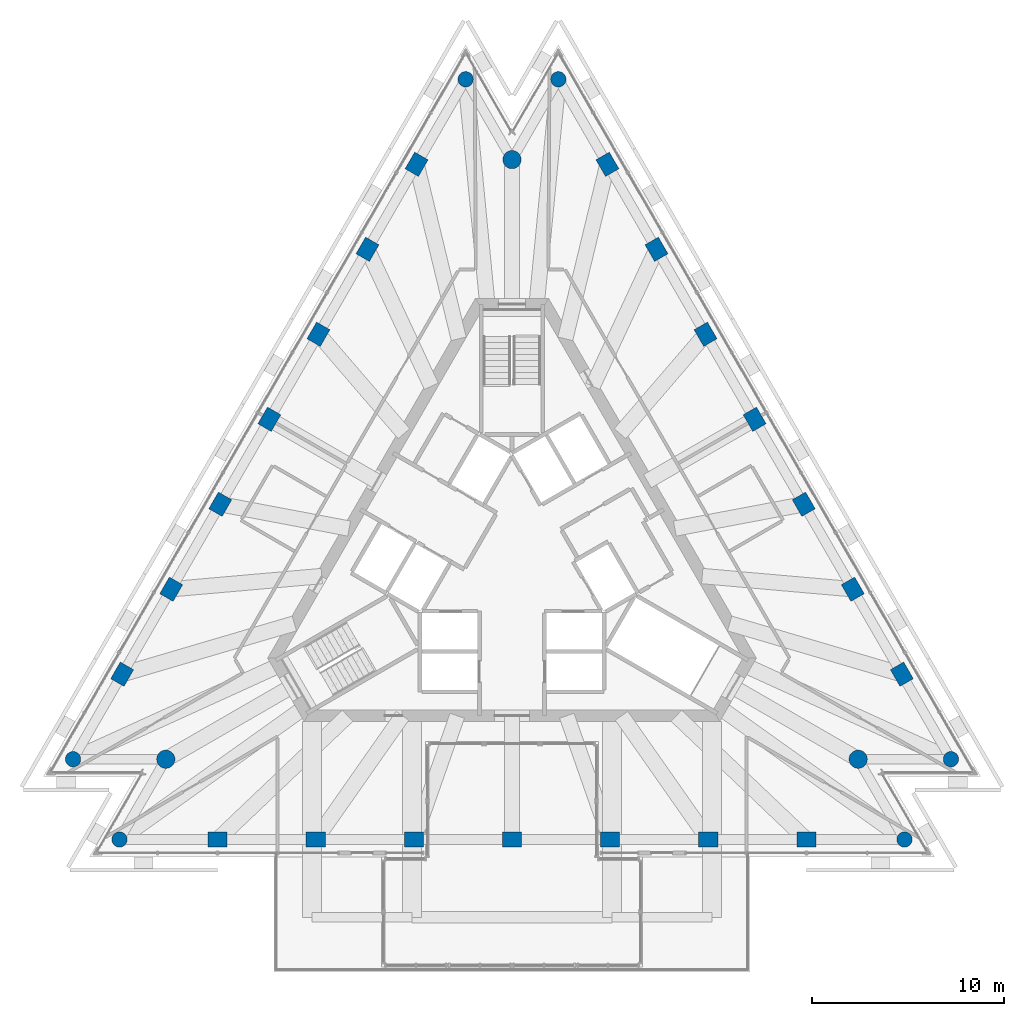
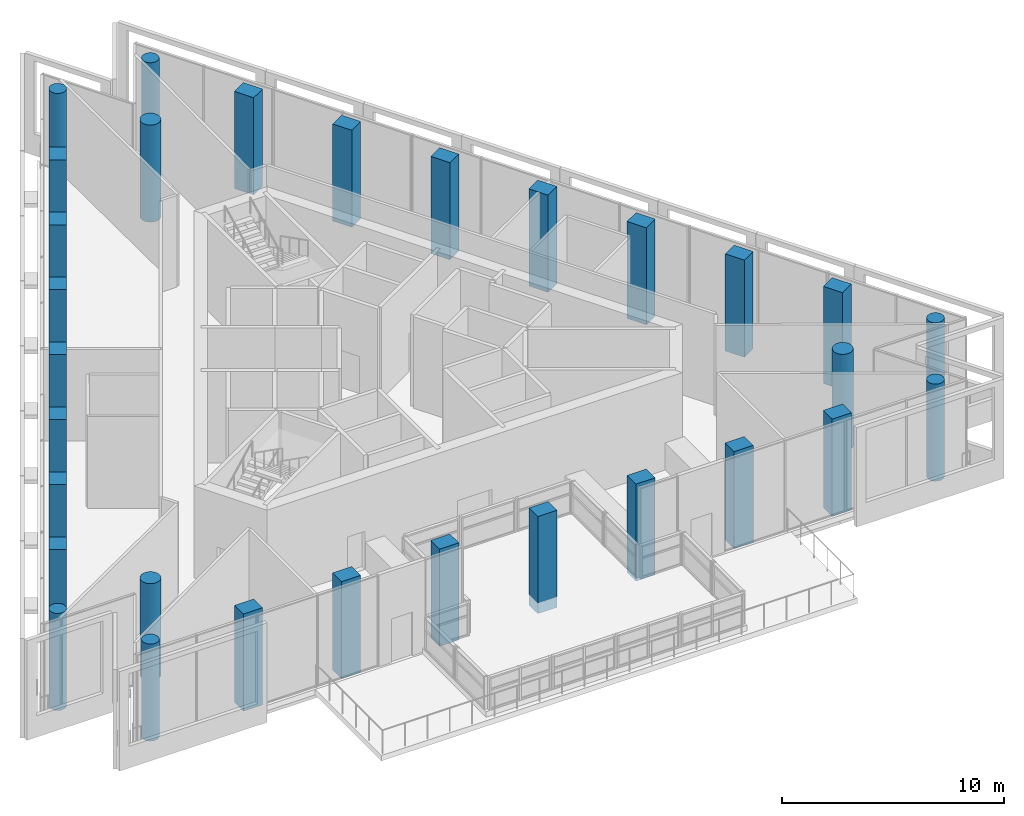
# One storey, part 1 of 17: 30 columns.
"""IFC4 building model written with IfcOpenShell, lengths in metres."""

from ifc_helpers import new_model, si_unit, direction, frame, origin, origin_2d, place, context, subcontext, project, spatial, rectangle, circle, extrude, material, material_profile, profile_set, type_object, element, save


model = new_model("IFC4")

# Units and contexts
model_context = context("Model", 3, precision=1e-05, world=origin(), true_north=direction((0.0, 1.0)))
body_context = subcontext(model_context, "Body", "Model", "MODEL_VIEW")
ifc_project = project(units=[si_unit("LENGTHUNIT", "METRE"), si_unit("AREAUNIT", "SQUARE_METRE"), si_unit("VOLUMEUNIT", "CUBIC_METRE"), si_unit("PLANEANGLEUNIT", "RADIAN"), si_unit("MASSUNIT", "GRAM", prefix="KILO")], contexts=[model_context])

# Site, building, storey
site_placement = place(None, origin())
site = spatial("IfcSite", under=ifc_project, at=site_placement, CompositionType="ELEMENT")
building_placement = place(site_placement, origin())
building = spatial("IfcBuilding", under=site, at=building_placement, Name="Triada Interchange Tower", CompositionType="ELEMENT")
storey_placement = place(building_placement, frame((0.0, 0.0, 322.300048828125)))
storey = spatial("IfcBuildingStorey", under=building, at=storey_placement, Name="L77", CompositionType="ELEMENT", Elevation=322.300048828125)

# Columns
ifc_material = material(Name="Concrete C40/50", Category="concrete")
ifc_material_profile_1 = material_profile(ifc_material, rectangle(XDim=1.0, YDim=0.800048828125, at=origin_2d()), Name="RC 1000x800")
ifc_profile_set_1 = profile_set([ifc_material_profile_1], Name="Concrete C40/50")
column_type_1 = type_object("IfcColumnType", Name="Column D face RC 1000x800", PredefinedType="COLUMN", material=ifc_profile_set_1)
for number, where, z_axis, x_axis, name in (
    (1, (-4.972900390625, 20.5859375, -0.300048828125), (0.0, 0.0, 1.0), (0.5, 0.866025403784, 0.0), "Column CD02 L77"),
    (2, (-7.530029296875, 16.156982421875, -0.300048828125), (0.0, 0.0, 1.0), (0.5, 0.866025403784, 0.0), "Column CD03 L77"),
    (3, (-10.0869140625, 11.72900390625, -0.300048828125), (0.0, 0.0, 1.0), (0.5, 0.866025403784, 0.0), "Column CD04 L77"),
    (4, (-12.64404296875, 7.300048828125, -0.300048828125), (0.0, 0.0, 1.0), (0.5, 0.866025403784, 0.0), "Column CD05 L77"),
    (5, (-15.200927734375, 2.87109375, -0.300048828125), (0.0, 0.0, 1.0), (0.5, 0.866025403784, 0.0), "Column CD06 L77"),
    (6, (-17.758056640625, -1.556884765625, -0.300048828125), (0.0, 0.0, 1.0), (0.5, 0.866025403784, 0.0), "Column CD07 L77"),
    (7, (-20.31494140625, -5.986083984375, -0.300048828125), (0.0, 0.0, 1.0), (0.5, 0.866025403784, 0.0), "Column CD08 L77"),
    (8, (-15.341064453125, -14.60009765625, -0.300048828125), (0.0, 0.0, 1.0), (1.0, 0.0, 0.0), "Column CD11 L77"),
    (9, (-10.22802734375, -14.60009765625, -0.300048828125), (0.0, 0.0, 1.0), (1.0, 0.0, 0.0), "Column CD12 L77"),
    (10, (-5.114013671875, -14.60009765625, -0.300048828125), (0.0, 0.0, 1.0), (1.0, 0.0, 0.0), "Column CD13 L77"),
    (11, (0.0, -14.60009765625, -0.300048828125), (0.0, 0.0, 1.0), (1.0, 0.0, 0.0), "Column CD14 L77"),
    (12, (5.114013671875, -14.60009765625, -0.300048828125), (0.0, 0.0, 1.0), (1.0, 0.0, 0.0), "Column CD15 L77"),
    (13, (10.22802734375, -14.60009765625, -0.300048828125), (0.0, 0.0, 1.0), (1.0, 0.0, 0.0), "Column CD16 L77"),
    (14, (15.341064453125, -14.60009765625, -0.300048828125), (0.0, 0.0, 1.0), (1.0, 0.0, 0.0), "Column CD17 L77"),
    (15, (20.31494140625, -5.986083984375, -0.300048828125), (0.0, 0.0, 1.0), (-0.5, 0.866025403784, 0.0), "Column CD20 L77"),
    (16, (17.758056640625, -1.556884765625, -0.300048828125), (0.0, 0.0, 1.0), (-0.5, 0.866025403784, 0.0), "Column CD21 L77"),
    (17, (15.200927734375, 2.87109375, -0.300048828125), (0.0, 0.0, 1.0), (-0.5, 0.866025403784, 0.0), "Column CD22 L77"),
    (18, (12.64404296875, 7.300048828125, -0.300048828125), (0.0, 0.0, 1.0), (-0.5, 0.866025403784, 0.0), "Column CD23 L77"),
    (19, (10.0869140625, 11.72900390625, -0.300048828125), (0.0, 0.0, 1.0), (-0.5, 0.866025403784, 0.0), "Column CD24 L77"),
    (20, (7.530029296875, 16.156982421875, -0.300048828125), (0.0, 0.0, 1.0), (-0.5, 0.866025403784, 0.0), "Column CD25 L77"),
    (21, (4.972900390625, 20.5859375, -0.300048828125), (0.0, 0.0, 1.0), (-0.5, 0.866025403784, 0.0), "Column CD26 L77"),
):
    element("IfcColumn", number, at=place(storey_placement, frame(where, z_axis=z_axis, x_axis=x_axis)), inside=storey, type_object=column_type_1, Name=name, PredefinedType="COLUMN", context=body_context, shape_type="SweptSolid", body=[
        extrude(rectangle(XDim=1.0, YDim=0.800048828125, at=origin_2d()), origin(), (0.0, 0.0, 1.0), 5.35009765625),
    ])
ifc_material_profile_2 = material_profile(ifc_material, circle(Radius=0.39990234375, at=origin_2d()), Name="RC D800")
ifc_profile_set_2 = profile_set([ifc_material_profile_2], Name="Concrete C40/50")
column_type_2 = type_object("IfcColumnType", Name="End column D RC D800", PredefinedType="COLUMN", material=ifc_profile_set_2)
for number, where, z_axis, x_axis, name in (
    (22, (-2.416015625, 25.014892578125, -0.300048828125), (0.0, 0.0, 1.0), (0.5, 0.866025403784, 0.0), "Column CD01 L77"),
    (23, (-22.8720703125, -10.4150390625, -0.300048828125), (0.0, 0.0, 1.0), (0.5, 0.866025403784, 0.0), "Column CD09 L77"),
    (24, (-20.455078125, -14.60009765625, -0.300048828125), (0.0, 0.0, 1.0), (1.0, 0.0, 0.0), "Column CD10 L77"),
    (25, (20.455078125, -14.60009765625, -0.300048828125), (0.0, 0.0, 1.0), (1.0, 0.0, 0.0), "Column CD18 L77"),
    (26, (22.8720703125, -10.4150390625, -0.300048828125), (0.0, 0.0, 1.0), (-0.5, 0.866025403784, 0.0), "Column CD19 L77"),
    (27, (2.416015625, 25.014892578125, -0.300048828125), (0.0, 0.0, 1.0), (-0.5, 0.866025403784, 0.0), "Column CD27 L77"),
):
    element("IfcColumn", number, at=place(storey_placement, frame(where, z_axis=z_axis, x_axis=x_axis)), inside=storey, type_object=column_type_2, Name=name, PredefinedType="COLUMN", context=body_context, shape_type="SweptSolid", body=[
        extrude(circle(Radius=0.39990234375, at=origin_2d()), origin(), (0.0, 0.0, 1.0), 5.35009765625),
    ])
ifc_material_profile_3 = material_profile(ifc_material, circle(Radius=0.47509765625, at=origin_2d()), Name="RC D950")
ifc_profile_set_3 = profile_set([ifc_material_profile_3], Name="Concrete C40/50")
column_type_3 = type_object("IfcColumnType", Name="Mega column D RC D950", PredefinedType="COLUMN", material=ifc_profile_set_3)
for number, where, z_axis, x_axis, name in (
    (28, (0.0, 20.830078125, -0.300048828125), (0.0, 0.0, 1.0), (1.0, 0.0, 0.0), "Column MD1 L77"),
    (29, (-18.0390625, -10.4150390625, -0.300048828125), (0.0, 0.0, 1.0), (1.0, 0.0, 0.0), "Column MD2 L77"),
    (30, (18.0390625, -10.4150390625, -0.300048828125), (0.0, 0.0, 1.0), (1.0, 0.0, 0.0), "Column MD3 L77"),
):
    element("IfcColumn", number, at=place(storey_placement, frame(where, z_axis=z_axis, x_axis=x_axis)), inside=storey, type_object=column_type_3, Name=name, PredefinedType="COLUMN", context=body_context, shape_type="SweptSolid", body=[
        extrude(circle(Radius=0.47509765625, at=origin_2d()), origin(), (0.0, 0.0, 1.0), 5.35009765625),
    ])

save(model, "model.ifc")
